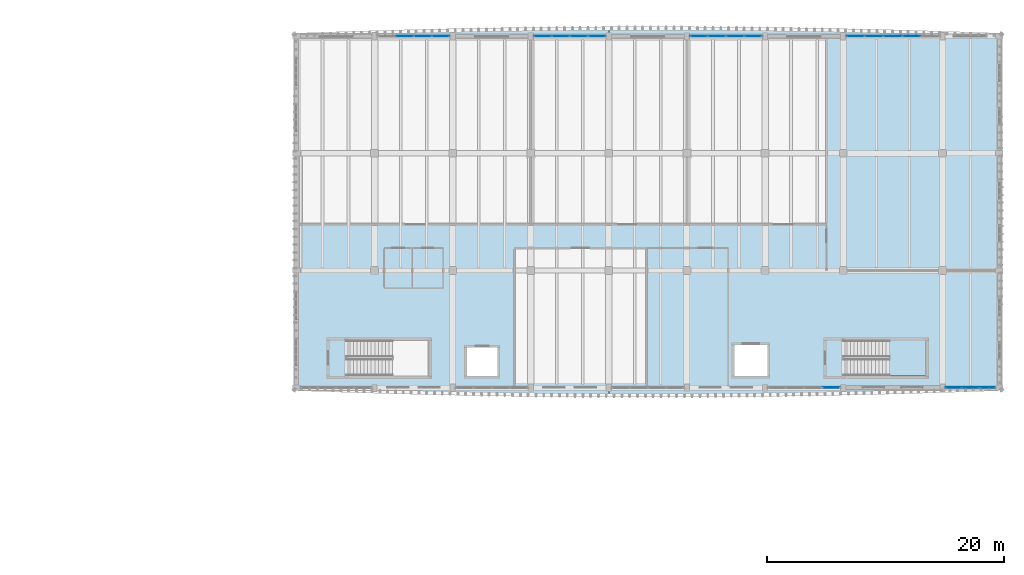
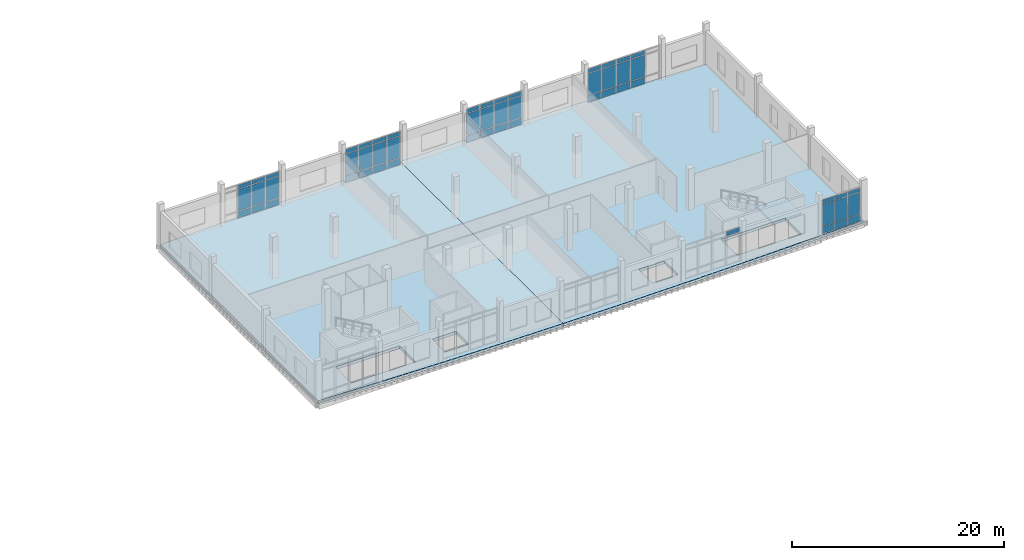
# One storey, part 40 of 76: 55 plates, 3 slabs, 7 elements without a shape of their own.
"""IFC4 building model written with IfcOpenShell, lengths in metres."""

from ifc_helpers import new_model, si_unit, direction, frame, origin, origin_2d, place, context, subcontext, project, spatial, polyline, rectangle, outline, extrude, material, layer, layer_set, type_object, element, aggregate, save


model = new_model("IFC4")

# Units and contexts
model_context = context("Model", 3, precision=1e-05, world=origin(), true_north=direction((0.0, 1.0)))
body_context = subcontext(model_context, "Body", "Model", "MODEL_VIEW")
ifc_project = project(units=[si_unit("LENGTHUNIT", "METRE"), si_unit("AREAUNIT", "SQUARE_METRE"), si_unit("VOLUMEUNIT", "CUBIC_METRE"), si_unit("PLANEANGLEUNIT", "RADIAN"), si_unit("MASSUNIT", "GRAM", prefix="KILO")], contexts=[model_context])

# Site, building, storey
site_placement = place(None, origin())
site = spatial("IfcSite", under=ifc_project, at=site_placement, CompositionType="ELEMENT")
building_placement = place(site_placement, origin())
building = spatial("IfcBuilding", under=site, at=building_placement, Name="Dornvale Research Institute", CompositionType="ELEMENT")
storey_placement = place(building_placement, frame((0.0, 0.0, 15.0)))
storey = spatial("IfcBuildingStorey", under=building, at=storey_placement, Name="L03", CompositionType="ELEMENT", Elevation=15.0)

# Curtain wall, plates
ifc_material_1 = material(Name="Low-E Argon Double Insulating Glazing Unit", Category="glass")
curtain_wall_type_1 = type_object("IfcCurtainWallType", Name="UnitisedCurtainWall_V4_6150x3950", PredefinedType="USERDEFINED", material=ifc_material_1)
curtain_wall_1_placement = place(storey_placement, origin())
curtain_wall_1 = element("IfcCurtainWall", 1, at=curtain_wall_1_placement, inside=storey, type_object=curtain_wall_type_1, Name="L03 V4 unitised curtain wall CW-15 #91", ObjectType="UNITISED CURTAIN WALL", PredefinedType="USERDEFINED")
ifc_material_2 = material(Name="Insulated Ceramic-Frit Spandrel Glass Panel", Category="glass")
ifc_layer_1 = layer(ifc_material_2, 0.0419921875)
ifc_layer_set_1 = layer_set([ifc_layer_1], Name="Insulated Ceramic-Frit Spandrel Glass Panel")
plate_type_1 = type_object("IfcPlateType", Name="CurtainPanel_Spandrel_42", PredefinedType="CURTAIN_PANEL", material=ifc_layer_set_1)
plate_1_placement = place(storey_placement, frame((127.93115234375, 122.10009765625, 0.06494140625), z_axis=(0.0, 0.0, 1.0), x_axis=(1.0, 0.0, 0.0)))
plate_1 = element("IfcPlate", 2, at=plate_1_placement, type_object=plate_type_1, Name="CW-15 panel 2.1", PredefinedType="CURTAIN_PANEL", context=body_context, shape_type="SweptSolid", body=[
    extrude(rectangle(XDim=1.472412109375, YDim=0.0419921875, at=origin_2d()), origin(), (0.0, 0.0, 1.0), 0.75244140625),
])
plate_2_placement = place(storey_placement, frame((129.46875, 122.10009765625, 0.06494140625), z_axis=(0.0, 0.0, 1.0), x_axis=(1.0, 0.0, 0.0)))
plate_2 = element("IfcPlate", 3, at=plate_2_placement, type_object=plate_type_1, Name="CW-15 panel 3.1", PredefinedType="CURTAIN_PANEL", context=body_context, shape_type="SweptSolid", body=[
    extrude(rectangle(XDim=1.472412109375, YDim=0.0419921875, at=origin_2d()), origin(), (0.0, 0.0, 1.0), 0.75244140625),
])
plate_3_placement = place(storey_placement, frame((130.989990234375, 122.10009765625, 0.06494140625), z_axis=(0.0, 0.0, 1.0), x_axis=(1.0, 0.0, 0.0)))
plate_3 = element("IfcPlate", 4, at=plate_3_placement, type_object=plate_type_1, Name="CW-15 panel 4.1", PredefinedType="CURTAIN_PANEL", context=body_context, shape_type="SweptSolid", body=[
    extrude(rectangle(XDim=1.43994140625, YDim=0.0419921875, at=origin_2d()), origin(), (0.0, 0.0, 1.0), 0.75244140625),
])

curtain_wall_2_placement = place(storey_placement, origin())
curtain_wall_2 = element("IfcCurtainWall", 5, at=curtain_wall_2_placement, inside=storey, type_object=curtain_wall_type_1, Name="L03 V4 unitised curtain wall CW-15 #92", ObjectType="UNITISED CURTAIN WALL", PredefinedType="USERDEFINED")
plate_4_placement = place(storey_placement, frame((139.610107421875, 122.10009765625, 0.06494140625), z_axis=(0.0, 0.0, 1.0), x_axis=(1.0, 0.0, 0.0)))
plate_4 = element("IfcPlate", 6, at=plate_4_placement, type_object=plate_type_1, Name="CW-15 panel 1.1", PredefinedType="CURTAIN_PANEL", context=body_context, shape_type="SweptSolid", body=[
    extrude(rectangle(XDim=1.43994140625, YDim=0.0419921875, at=origin_2d()), origin(), (0.0, 0.0, 1.0), 0.75244140625),
])
plate_5_placement = place(storey_placement, frame((141.13134765625, 122.10009765625, 0.06494140625), z_axis=(0.0, 0.0, 1.0), x_axis=(1.0, 0.0, 0.0)))
plate_5 = element("IfcPlate", 7, at=plate_5_placement, type_object=plate_type_1, Name="CW-15 panel 2.1", PredefinedType="CURTAIN_PANEL", context=body_context, shape_type="SweptSolid", body=[
    extrude(rectangle(XDim=1.472412109375, YDim=0.0419921875, at=origin_2d()), origin(), (0.0, 0.0, 1.0), 0.75244140625),
])
plate_6_placement = place(storey_placement, frame((142.668701171875, 122.10009765625, 0.06494140625), z_axis=(0.0, 0.0, 1.0), x_axis=(1.0, 0.0, 0.0)))
plate_6 = element("IfcPlate", 8, at=plate_6_placement, type_object=plate_type_1, Name="CW-15 panel 3.1", PredefinedType="CURTAIN_PANEL", context=body_context, shape_type="SweptSolid", body=[
    extrude(rectangle(XDim=1.472412109375, YDim=0.0419921875, at=origin_2d()), origin(), (0.0, 0.0, 1.0), 0.75244140625),
])
plate_7_placement = place(storey_placement, frame((144.18994140625, 122.10009765625, 0.06494140625), z_axis=(0.0, 0.0, 1.0), x_axis=(1.0, 0.0, 0.0)))
plate_7 = element("IfcPlate", 9, at=plate_7_placement, type_object=plate_type_1, Name="CW-15 panel 4.1", PredefinedType="CURTAIN_PANEL", context=body_context, shape_type="SweptSolid", body=[
    extrude(rectangle(XDim=1.43994140625, YDim=0.0419921875, at=origin_2d()), origin(), (0.0, 0.0, 1.0), 0.75244140625),
])

curtain_wall_3_placement = place(storey_placement, origin())
curtain_wall_3 = element("IfcCurtainWall", 10, at=curtain_wall_3_placement, inside=storey, type_object=curtain_wall_type_1, Name="L03 V4 unitised curtain wall CW-15 #93", ObjectType="UNITISED CURTAIN WALL", PredefinedType="USERDEFINED")
plate_8_placement = place(storey_placement, frame((152.81005859375, 122.10009765625, 0.06494140625), z_axis=(0.0, 0.0, 1.0), x_axis=(1.0, 0.0, 0.0)))
plate_8 = element("IfcPlate", 11, at=plate_8_placement, type_object=plate_type_1, Name="CW-15 panel 1.1", PredefinedType="CURTAIN_PANEL", context=body_context, shape_type="SweptSolid", body=[
    extrude(rectangle(XDim=1.43994140625, YDim=0.0419921875, at=origin_2d()), origin(), (0.0, 0.0, 1.0), 0.75244140625),
])
plate_9_placement = place(storey_placement, frame((154.331298828125, 122.10009765625, 0.06494140625), z_axis=(0.0, 0.0, 1.0), x_axis=(1.0, 0.0, 0.0)))
plate_9 = element("IfcPlate", 12, at=plate_9_placement, type_object=plate_type_1, Name="CW-15 panel 2.1", PredefinedType="CURTAIN_PANEL", context=body_context, shape_type="SweptSolid", body=[
    extrude(rectangle(XDim=1.472412109375, YDim=0.0419921875, at=origin_2d()), origin(), (0.0, 0.0, 1.0), 0.75244140625),
])
plate_10_placement = place(storey_placement, frame((155.86865234375, 122.10009765625, 0.06494140625), z_axis=(0.0, 0.0, 1.0), x_axis=(1.0, 0.0, 0.0)))
plate_10 = element("IfcPlate", 13, at=plate_10_placement, type_object=plate_type_1, Name="CW-15 panel 3.1", PredefinedType="CURTAIN_PANEL", context=body_context, shape_type="SweptSolid", body=[
    extrude(rectangle(XDim=1.472412109375, YDim=0.0419921875, at=origin_2d()), origin(), (0.0, 0.0, 1.0), 0.75244140625),
])
plate_11_placement = place(storey_placement, frame((157.389892578125, 122.10009765625, 0.06494140625), z_axis=(0.0, 0.0, 1.0), x_axis=(1.0, 0.0, 0.0)))
plate_11 = element("IfcPlate", 14, at=plate_11_placement, type_object=plate_type_1, Name="CW-15 panel 4.1", PredefinedType="CURTAIN_PANEL", context=body_context, shape_type="SweptSolid", body=[
    extrude(rectangle(XDim=1.43994140625, YDim=0.0419921875, at=origin_2d()), origin(), (0.0, 0.0, 1.0), 0.75244140625),
])

ifc_material_3 = material(Name="Low-E Argon Double Insulating Glazing Unit", Category="glass")
curtain_wall_type_2 = type_object("IfcCurtainWallType", Name="UnitisedCurtainWall_V4_7950x3950", PredefinedType="USERDEFINED", material=ifc_material_3)
curtain_wall_4_placement = place(storey_placement, origin())
curtain_wall_4 = element("IfcCurtainWall", 15, at=curtain_wall_4_placement, inside=storey, type_object=curtain_wall_type_2, Name="L03 V4 unitised curtain wall CW-16 #94", ObjectType="UNITISED CURTAIN WALL", PredefinedType="USERDEFINED")
plate_12_placement = place(storey_placement, frame((166.0361328125, 122.10009765625, 0.06494140625), z_axis=(0.0, 0.0, 1.0), x_axis=(1.0, 0.0, 0.0)))
plate_12 = element("IfcPlate", 16, at=plate_12_placement, type_object=plate_type_1, Name="CW-16 panel 1.1", PredefinedType="CURTAIN_PANEL", context=body_context, shape_type="SweptSolid", body=[
    extrude(rectangle(XDim=1.492431640625, YDim=0.0419921875, at=origin_2d()), origin(), (0.0, 0.0, 1.0), 0.75244140625),
])
plate_13_placement = place(storey_placement, frame((167.610107421875, 122.10009765625, 0.06494140625), z_axis=(0.0, 0.0, 1.0), x_axis=(1.0, 0.0, 0.0)))
plate_13 = element("IfcPlate", 17, at=plate_13_placement, type_object=plate_type_1, Name="CW-16 panel 2.1", PredefinedType="CURTAIN_PANEL", context=body_context, shape_type="SweptSolid", body=[
    extrude(rectangle(XDim=1.52490234375, YDim=0.0419921875, at=origin_2d()), origin(), (0.0, 0.0, 1.0), 0.75244140625),
])
plate_14_placement = place(storey_placement, frame((169.199951171875, 122.10009765625, 0.06494140625), z_axis=(0.0, 0.0, 1.0), x_axis=(1.0, 0.0, 0.0)))
plate_14 = element("IfcPlate", 18, at=plate_14_placement, type_object=plate_type_1, Name="CW-16 panel 3.1", PredefinedType="CURTAIN_PANEL", context=body_context, shape_type="SweptSolid", body=[
    extrude(rectangle(XDim=1.52490234375, YDim=0.0419921875, at=origin_2d()), origin(), (0.0, 0.0, 1.0), 0.75244140625),
])
plate_15_placement = place(storey_placement, frame((170.7900390625, 122.10009765625, 0.06494140625), z_axis=(0.0, 0.0, 1.0), x_axis=(1.0, 0.0, 0.0)))
plate_15 = element("IfcPlate", 19, at=plate_15_placement, type_object=plate_type_1, Name="CW-16 panel 4.1", PredefinedType="CURTAIN_PANEL", context=body_context, shape_type="SweptSolid", body=[
    extrude(rectangle(XDim=1.52490234375, YDim=0.0419921875, at=origin_2d()), origin(), (0.0, 0.0, 1.0), 0.75244140625),
])

ifc_material_4 = material(Name="Low-E Argon Double Insulating Glazing Unit", Category="glass")
curtain_wall_type_3 = type_object("IfcCurtainWallType", Name="UnitisedCurtainWall_V4_4250x3950", PredefinedType="USERDEFINED", material=ifc_material_4)
curtain_wall_5_placement = place(storey_placement, origin())
curtain_wall_5 = element("IfcCurtainWall", 20, at=curtain_wall_5_placement, inside=storey, type_object=curtain_wall_type_3, Name="L03 V4 unitised curtain wall CW-17 #95", ObjectType="UNITISED CURTAIN WALL", PredefinedType="USERDEFINED")
plate_16_placement = place(storey_placement, frame((177.150390625, 92.39990234375, 0.06494140625), z_axis=(0.0, 0.0, 1.0), x_axis=(-1.0, 0.0, 0.0)))
plate_16 = element("IfcPlate", 21, at=plate_16_placement, type_object=plate_type_1, Name="CW-17 panel 1.1", PredefinedType="CURTAIN_PANEL", context=body_context, shape_type="SweptSolid", body=[
    extrude(rectangle(XDim=1.319091796875, YDim=0.0419921875, at=origin_2d()), origin(), (0.0, 0.0, 1.0), 0.75244140625),
])
plate_17_placement = place(storey_placement, frame((175.75, 92.39990234375, 0.06494140625), z_axis=(0.0, 0.0, 1.0), x_axis=(-1.0, 0.0, 0.0)))
plate_17 = element("IfcPlate", 22, at=plate_17_placement, type_object=plate_type_1, Name="CW-17 panel 2.1", PredefinedType="CURTAIN_PANEL", context=body_context, shape_type="SweptSolid", body=[
    extrude(rectangle(XDim=1.3515625, YDim=0.0419921875, at=origin_2d()), origin(), (0.0, 0.0, 1.0), 0.75244140625),
])
plate_18_placement = place(storey_placement, frame((174.349609375, 92.39990234375, 0.06494140625), z_axis=(0.0, 0.0, 1.0), x_axis=(-1.0, 0.0, 0.0)))
plate_18 = element("IfcPlate", 23, at=plate_18_placement, type_object=plate_type_1, Name="CW-17 panel 3.1", PredefinedType="CURTAIN_PANEL", context=body_context, shape_type="SweptSolid", body=[
    extrude(rectangle(XDim=1.319091796875, YDim=0.0419921875, at=origin_2d()), origin(), (0.0, 0.0, 1.0), 0.75244140625),
])

# Plate
ifc_material_5 = material(Name="Low-E Argon Double Insulating Glazing Unit", Category="glass")
ifc_layer_2 = layer(ifc_material_5, 0.028076171875)
ifc_layer_set_2 = layer_set([ifc_layer_2], Name="Low-E Argon Double Insulating Glazing Unit")
plate_type_2 = type_object("IfcPlateType", Name="CurtainPanel_Vision_28", PredefinedType="CURTAIN_PANEL", material=ifc_layer_set_2)
plate_19_placement = place(storey_placement, frame((127.93115234375, 122.10009765625, 0.88232421875), z_axis=(0.0, 0.0, 1.0), x_axis=(1.0, 0.0, 0.0)))
plate_19 = element("IfcPlate", 24, at=plate_19_placement, type_object=plate_type_2, Name="CW-15 panel 2.2", PredefinedType="CURTAIN_PANEL", context=body_context, shape_type="SweptSolid", body=[
    extrude(rectangle(XDim=1.472412109375, YDim=0.028076171875, at=origin_2d()), origin(), (0.0, 0.0, 1.0), 2.485107421875),
])

plate_20_placement = place(storey_placement, frame((127.93115234375, 122.10009765625, 3.4326171875), z_axis=(0.0, 0.0, 1.0), x_axis=(1.0, 0.0, 0.0)))
plate_20 = element("IfcPlate", 25, at=plate_20_placement, type_object=plate_type_2, Name="CW-15 panel 2.3", PredefinedType="CURTAIN_PANEL", context=body_context, shape_type="SweptSolid", body=[
    extrude(rectangle(XDim=1.472412109375, YDim=0.028076171875, at=origin_2d()), origin(), (0.0, 0.0, 1.0), 0.452392578125),
])

plate_21_placement = place(storey_placement, frame((129.46875, 122.10009765625, 0.88232421875), z_axis=(0.0, 0.0, 1.0), x_axis=(1.0, 0.0, 0.0)))
plate_21 = element("IfcPlate", 26, at=plate_21_placement, type_object=plate_type_2, Name="CW-15 panel 3.2", PredefinedType="CURTAIN_PANEL", context=body_context, shape_type="SweptSolid", body=[
    extrude(rectangle(XDim=1.472412109375, YDim=0.028076171875, at=origin_2d()), origin(), (0.0, 0.0, 1.0), 2.485107421875),
])

plate_22_placement = place(storey_placement, frame((129.46875, 122.10009765625, 3.4326171875), z_axis=(0.0, 0.0, 1.0), x_axis=(1.0, 0.0, 0.0)))
plate_22 = element("IfcPlate", 27, at=plate_22_placement, type_object=plate_type_2, Name="CW-15 panel 3.3", PredefinedType="CURTAIN_PANEL", context=body_context, shape_type="SweptSolid", body=[
    extrude(rectangle(XDim=1.472412109375, YDim=0.028076171875, at=origin_2d()), origin(), (0.0, 0.0, 1.0), 0.452392578125),
])

plate_23_placement = place(storey_placement, frame((130.989990234375, 122.10009765625, 0.88232421875), z_axis=(0.0, 0.0, 1.0), x_axis=(1.0, 0.0, 0.0)))
plate_23 = element("IfcPlate", 28, at=plate_23_placement, type_object=plate_type_2, Name="CW-15 panel 4.2", PredefinedType="CURTAIN_PANEL", context=body_context, shape_type="SweptSolid", body=[
    extrude(rectangle(XDim=1.43994140625, YDim=0.028076171875, at=origin_2d()), origin(), (0.0, 0.0, 1.0), 2.485107421875),
])

plate_24_placement = place(storey_placement, frame((130.989990234375, 122.10009765625, 3.4326171875), z_axis=(0.0, 0.0, 1.0), x_axis=(1.0, 0.0, 0.0)))
plate_24 = element("IfcPlate", 29, at=plate_24_placement, type_object=plate_type_2, Name="CW-15 panel 4.3", PredefinedType="CURTAIN_PANEL", context=body_context, shape_type="SweptSolid", body=[
    extrude(rectangle(XDim=1.43994140625, YDim=0.028076171875, at=origin_2d()), origin(), (0.0, 0.0, 1.0), 0.452392578125),
])

aggregate(curtain_wall_1, [plate_1, plate_19, plate_20, plate_2, plate_21, plate_22, plate_3, plate_23, plate_24])

plate_25_placement = place(storey_placement, frame((139.610107421875, 122.10009765625, 0.88232421875), z_axis=(0.0, 0.0, 1.0), x_axis=(1.0, 0.0, 0.0)))
plate_25 = element("IfcPlate", 30, at=plate_25_placement, type_object=plate_type_2, Name="CW-15 panel 1.2", PredefinedType="CURTAIN_PANEL", context=body_context, shape_type="SweptSolid", body=[
    extrude(rectangle(XDim=1.43994140625, YDim=0.028076171875, at=origin_2d()), origin(), (0.0, 0.0, 1.0), 2.485107421875),
])

plate_26_placement = place(storey_placement, frame((139.610107421875, 122.10009765625, 3.4326171875), z_axis=(0.0, 0.0, 1.0), x_axis=(1.0, 0.0, 0.0)))
plate_26 = element("IfcPlate", 31, at=plate_26_placement, type_object=plate_type_2, Name="CW-15 panel 1.3", PredefinedType="CURTAIN_PANEL", context=body_context, shape_type="SweptSolid", body=[
    extrude(rectangle(XDim=1.43994140625, YDim=0.028076171875, at=origin_2d()), origin(), (0.0, 0.0, 1.0), 0.452392578125),
])

plate_27_placement = place(storey_placement, frame((141.13134765625, 122.10009765625, 0.88232421875), z_axis=(0.0, 0.0, 1.0), x_axis=(1.0, 0.0, 0.0)))
plate_27 = element("IfcPlate", 32, at=plate_27_placement, type_object=plate_type_2, Name="CW-15 panel 2.2", PredefinedType="CURTAIN_PANEL", context=body_context, shape_type="SweptSolid", body=[
    extrude(rectangle(XDim=1.472412109375, YDim=0.028076171875, at=origin_2d()), origin(), (0.0, 0.0, 1.0), 2.485107421875),
])

plate_28_placement = place(storey_placement, frame((141.13134765625, 122.10009765625, 3.4326171875), z_axis=(0.0, 0.0, 1.0), x_axis=(1.0, 0.0, 0.0)))
plate_28 = element("IfcPlate", 33, at=plate_28_placement, type_object=plate_type_2, Name="CW-15 panel 2.3", PredefinedType="CURTAIN_PANEL", context=body_context, shape_type="SweptSolid", body=[
    extrude(rectangle(XDim=1.472412109375, YDim=0.028076171875, at=origin_2d()), origin(), (0.0, 0.0, 1.0), 0.452392578125),
])

plate_29_placement = place(storey_placement, frame((142.668701171875, 122.10009765625, 0.88232421875), z_axis=(0.0, 0.0, 1.0), x_axis=(1.0, 0.0, 0.0)))
plate_29 = element("IfcPlate", 34, at=plate_29_placement, type_object=plate_type_2, Name="CW-15 panel 3.2", PredefinedType="CURTAIN_PANEL", context=body_context, shape_type="SweptSolid", body=[
    extrude(rectangle(XDim=1.472412109375, YDim=0.028076171875, at=origin_2d()), origin(), (0.0, 0.0, 1.0), 2.485107421875),
])

plate_30_placement = place(storey_placement, frame((142.668701171875, 122.10009765625, 3.4326171875), z_axis=(0.0, 0.0, 1.0), x_axis=(1.0, 0.0, 0.0)))
plate_30 = element("IfcPlate", 35, at=plate_30_placement, type_object=plate_type_2, Name="CW-15 panel 3.3", PredefinedType="CURTAIN_PANEL", context=body_context, shape_type="SweptSolid", body=[
    extrude(rectangle(XDim=1.472412109375, YDim=0.028076171875, at=origin_2d()), origin(), (0.0, 0.0, 1.0), 0.452392578125),
])

plate_31_placement = place(storey_placement, frame((144.18994140625, 122.10009765625, 0.88232421875), z_axis=(0.0, 0.0, 1.0), x_axis=(1.0, 0.0, 0.0)))
plate_31 = element("IfcPlate", 36, at=plate_31_placement, type_object=plate_type_2, Name="CW-15 panel 4.2", PredefinedType="CURTAIN_PANEL", context=body_context, shape_type="SweptSolid", body=[
    extrude(rectangle(XDim=1.43994140625, YDim=0.028076171875, at=origin_2d()), origin(), (0.0, 0.0, 1.0), 2.485107421875),
])

plate_32_placement = place(storey_placement, frame((144.18994140625, 122.10009765625, 3.4326171875), z_axis=(0.0, 0.0, 1.0), x_axis=(1.0, 0.0, 0.0)))
plate_32 = element("IfcPlate", 37, at=plate_32_placement, type_object=plate_type_2, Name="CW-15 panel 4.3", PredefinedType="CURTAIN_PANEL", context=body_context, shape_type="SweptSolid", body=[
    extrude(rectangle(XDim=1.43994140625, YDim=0.028076171875, at=origin_2d()), origin(), (0.0, 0.0, 1.0), 0.452392578125),
])

aggregate(curtain_wall_2, [plate_4, plate_25, plate_26, plate_5, plate_27, plate_28, plate_6, plate_29, plate_30, plate_7, plate_31, plate_32])

plate_33_placement = place(storey_placement, frame((152.81005859375, 122.10009765625, 0.88232421875), z_axis=(0.0, 0.0, 1.0), x_axis=(1.0, 0.0, 0.0)))
plate_33 = element("IfcPlate", 38, at=plate_33_placement, type_object=plate_type_2, Name="CW-15 panel 1.2", PredefinedType="CURTAIN_PANEL", context=body_context, shape_type="SweptSolid", body=[
    extrude(rectangle(XDim=1.43994140625, YDim=0.028076171875, at=origin_2d()), origin(), (0.0, 0.0, 1.0), 2.485107421875),
])

plate_34_placement = place(storey_placement, frame((152.81005859375, 122.10009765625, 3.4326171875), z_axis=(0.0, 0.0, 1.0), x_axis=(1.0, 0.0, 0.0)))
plate_34 = element("IfcPlate", 39, at=plate_34_placement, type_object=plate_type_2, Name="CW-15 panel 1.3", PredefinedType="CURTAIN_PANEL", context=body_context, shape_type="SweptSolid", body=[
    extrude(rectangle(XDim=1.43994140625, YDim=0.028076171875, at=origin_2d()), origin(), (0.0, 0.0, 1.0), 0.452392578125),
])

plate_35_placement = place(storey_placement, frame((154.331298828125, 122.10009765625, 0.88232421875), z_axis=(0.0, 0.0, 1.0), x_axis=(1.0, 0.0, 0.0)))
plate_35 = element("IfcPlate", 40, at=plate_35_placement, type_object=plate_type_2, Name="CW-15 panel 2.2", PredefinedType="CURTAIN_PANEL", context=body_context, shape_type="SweptSolid", body=[
    extrude(rectangle(XDim=1.472412109375, YDim=0.028076171875, at=origin_2d()), origin(), (0.0, 0.0, 1.0), 2.485107421875),
])

plate_36_placement = place(storey_placement, frame((154.331298828125, 122.10009765625, 3.4326171875), z_axis=(0.0, 0.0, 1.0), x_axis=(1.0, 0.0, 0.0)))
plate_36 = element("IfcPlate", 41, at=plate_36_placement, type_object=plate_type_2, Name="CW-15 panel 2.3", PredefinedType="CURTAIN_PANEL", context=body_context, shape_type="SweptSolid", body=[
    extrude(rectangle(XDim=1.472412109375, YDim=0.028076171875, at=origin_2d()), origin(), (0.0, 0.0, 1.0), 0.452392578125),
])

plate_37_placement = place(storey_placement, frame((155.86865234375, 122.10009765625, 0.88232421875), z_axis=(0.0, 0.0, 1.0), x_axis=(1.0, 0.0, 0.0)))
plate_37 = element("IfcPlate", 42, at=plate_37_placement, type_object=plate_type_2, Name="CW-15 panel 3.2", PredefinedType="CURTAIN_PANEL", context=body_context, shape_type="SweptSolid", body=[
    extrude(rectangle(XDim=1.472412109375, YDim=0.028076171875, at=origin_2d()), origin(), (0.0, 0.0, 1.0), 2.485107421875),
])

plate_38_placement = place(storey_placement, frame((155.86865234375, 122.10009765625, 3.4326171875), z_axis=(0.0, 0.0, 1.0), x_axis=(1.0, 0.0, 0.0)))
plate_38 = element("IfcPlate", 43, at=plate_38_placement, type_object=plate_type_2, Name="CW-15 panel 3.3", PredefinedType="CURTAIN_PANEL", context=body_context, shape_type="SweptSolid", body=[
    extrude(rectangle(XDim=1.472412109375, YDim=0.028076171875, at=origin_2d()), origin(), (0.0, 0.0, 1.0), 0.452392578125),
])

plate_39_placement = place(storey_placement, frame((157.389892578125, 122.10009765625, 0.88232421875), z_axis=(0.0, 0.0, 1.0), x_axis=(1.0, 0.0, 0.0)))
plate_39 = element("IfcPlate", 44, at=plate_39_placement, type_object=plate_type_2, Name="CW-15 panel 4.2", PredefinedType="CURTAIN_PANEL", context=body_context, shape_type="SweptSolid", body=[
    extrude(rectangle(XDim=1.43994140625, YDim=0.028076171875, at=origin_2d()), origin(), (0.0, 0.0, 1.0), 2.485107421875),
])

plate_40_placement = place(storey_placement, frame((157.389892578125, 122.10009765625, 3.4326171875), z_axis=(0.0, 0.0, 1.0), x_axis=(1.0, 0.0, 0.0)))
plate_40 = element("IfcPlate", 45, at=plate_40_placement, type_object=plate_type_2, Name="CW-15 panel 4.3", PredefinedType="CURTAIN_PANEL", context=body_context, shape_type="SweptSolid", body=[
    extrude(rectangle(XDim=1.43994140625, YDim=0.028076171875, at=origin_2d()), origin(), (0.0, 0.0, 1.0), 0.452392578125),
])

aggregate(curtain_wall_3, [plate_8, plate_33, plate_34, plate_9, plate_35, plate_36, plate_10, plate_37, plate_38, plate_11, plate_39, plate_40])

plate_41_placement = place(storey_placement, frame((166.0361328125, 122.10009765625, 0.88232421875), z_axis=(0.0, 0.0, 1.0), x_axis=(1.0, 0.0, 0.0)))
plate_41 = element("IfcPlate", 46, at=plate_41_placement, type_object=plate_type_2, Name="CW-16 panel 1.2", PredefinedType="CURTAIN_PANEL", context=body_context, shape_type="SweptSolid", body=[
    extrude(rectangle(XDim=1.492431640625, YDim=0.028076171875, at=origin_2d()), origin(), (0.0, 0.0, 1.0), 2.485107421875),
])

plate_42_placement = place(storey_placement, frame((166.0361328125, 122.10009765625, 3.4326171875), z_axis=(0.0, 0.0, 1.0), x_axis=(1.0, 0.0, 0.0)))
plate_42 = element("IfcPlate", 47, at=plate_42_placement, type_object=plate_type_2, Name="CW-16 panel 1.3", PredefinedType="CURTAIN_PANEL", context=body_context, shape_type="SweptSolid", body=[
    extrude(rectangle(XDim=1.492431640625, YDim=0.028076171875, at=origin_2d()), origin(), (0.0, 0.0, 1.0), 0.452392578125),
])

plate_43_placement = place(storey_placement, frame((167.610107421875, 122.10009765625, 0.88232421875), z_axis=(0.0, 0.0, 1.0), x_axis=(1.0, 0.0, 0.0)))
plate_43 = element("IfcPlate", 48, at=plate_43_placement, type_object=plate_type_2, Name="CW-16 panel 2.2", PredefinedType="CURTAIN_PANEL", context=body_context, shape_type="SweptSolid", body=[
    extrude(rectangle(XDim=1.52490234375, YDim=0.028076171875, at=origin_2d()), origin(), (0.0, 0.0, 1.0), 2.485107421875),
])

plate_44_placement = place(storey_placement, frame((167.610107421875, 122.10009765625, 3.4326171875), z_axis=(0.0, 0.0, 1.0), x_axis=(1.0, 0.0, 0.0)))
plate_44 = element("IfcPlate", 49, at=plate_44_placement, type_object=plate_type_2, Name="CW-16 panel 2.3", PredefinedType="CURTAIN_PANEL", context=body_context, shape_type="SweptSolid", body=[
    extrude(rectangle(XDim=1.52490234375, YDim=0.028076171875, at=origin_2d()), origin(), (0.0, 0.0, 1.0), 0.452392578125),
])

plate_45_placement = place(storey_placement, frame((169.199951171875, 122.10009765625, 0.88232421875), z_axis=(0.0, 0.0, 1.0), x_axis=(1.0, 0.0, 0.0)))
plate_45 = element("IfcPlate", 50, at=plate_45_placement, type_object=plate_type_2, Name="CW-16 panel 3.2", PredefinedType="CURTAIN_PANEL", context=body_context, shape_type="SweptSolid", body=[
    extrude(rectangle(XDim=1.52490234375, YDim=0.028076171875, at=origin_2d()), origin(), (0.0, 0.0, 1.0), 2.485107421875),
])

plate_46_placement = place(storey_placement, frame((169.199951171875, 122.10009765625, 3.4326171875), z_axis=(0.0, 0.0, 1.0), x_axis=(1.0, 0.0, 0.0)))
plate_46 = element("IfcPlate", 51, at=plate_46_placement, type_object=plate_type_2, Name="CW-16 panel 3.3", PredefinedType="CURTAIN_PANEL", context=body_context, shape_type="SweptSolid", body=[
    extrude(rectangle(XDim=1.52490234375, YDim=0.028076171875, at=origin_2d()), origin(), (0.0, 0.0, 1.0), 0.452392578125),
])

plate_47_placement = place(storey_placement, frame((170.7900390625, 122.10009765625, 0.88232421875), z_axis=(0.0, 0.0, 1.0), x_axis=(1.0, 0.0, 0.0)))
plate_47 = element("IfcPlate", 52, at=plate_47_placement, type_object=plate_type_2, Name="CW-16 panel 4.2", PredefinedType="CURTAIN_PANEL", context=body_context, shape_type="SweptSolid", body=[
    extrude(rectangle(XDim=1.52490234375, YDim=0.028076171875, at=origin_2d()), origin(), (0.0, 0.0, 1.0), 2.485107421875),
])

plate_48_placement = place(storey_placement, frame((170.7900390625, 122.10009765625, 3.4326171875), z_axis=(0.0, 0.0, 1.0), x_axis=(1.0, 0.0, 0.0)))
plate_48 = element("IfcPlate", 53, at=plate_48_placement, type_object=plate_type_2, Name="CW-16 panel 4.3", PredefinedType="CURTAIN_PANEL", context=body_context, shape_type="SweptSolid", body=[
    extrude(rectangle(XDim=1.52490234375, YDim=0.028076171875, at=origin_2d()), origin(), (0.0, 0.0, 1.0), 0.452392578125),
])

aggregate(curtain_wall_4, [plate_12, plate_41, plate_42, plate_13, plate_43, plate_44, plate_14, plate_45, plate_46, plate_15, plate_47, plate_48])

plate_49_placement = place(storey_placement, frame((177.150390625, 92.39990234375, 0.88232421875), z_axis=(0.0, 0.0, 1.0), x_axis=(-1.0, 0.0, 0.0)))
plate_49 = element("IfcPlate", 54, at=plate_49_placement, type_object=plate_type_2, Name="CW-17 panel 1.2", PredefinedType="CURTAIN_PANEL", context=body_context, shape_type="SweptSolid", body=[
    extrude(rectangle(XDim=1.319091796875, YDim=0.028076171875, at=origin_2d()), origin(), (0.0, 0.0, 1.0), 2.485107421875),
])

plate_50_placement = place(storey_placement, frame((177.150390625, 92.39990234375, 3.4326171875), z_axis=(0.0, 0.0, 1.0), x_axis=(-1.0, 0.0, 0.0)))
plate_50 = element("IfcPlate", 55, at=plate_50_placement, type_object=plate_type_2, Name="CW-17 panel 1.3", PredefinedType="CURTAIN_PANEL", context=body_context, shape_type="SweptSolid", body=[
    extrude(rectangle(XDim=1.319091796875, YDim=0.028076171875, at=origin_2d()), origin(), (0.0, 0.0, 1.0), 0.452392578125),
])

plate_51_placement = place(storey_placement, frame((175.75, 92.39990234375, 0.88232421875), z_axis=(0.0, 0.0, 1.0), x_axis=(-1.0, 0.0, 0.0)))
plate_51 = element("IfcPlate", 56, at=plate_51_placement, type_object=plate_type_2, Name="CW-17 panel 2.2", PredefinedType="CURTAIN_PANEL", context=body_context, shape_type="SweptSolid", body=[
    extrude(rectangle(XDim=1.3515625, YDim=0.028076171875, at=origin_2d()), origin(), (0.0, 0.0, 1.0), 2.485107421875),
])

plate_52_placement = place(storey_placement, frame((175.75, 92.39990234375, 3.4326171875), z_axis=(0.0, 0.0, 1.0), x_axis=(-1.0, 0.0, 0.0)))
plate_52 = element("IfcPlate", 57, at=plate_52_placement, type_object=plate_type_2, Name="CW-17 panel 2.3", PredefinedType="CURTAIN_PANEL", context=body_context, shape_type="SweptSolid", body=[
    extrude(rectangle(XDim=1.3515625, YDim=0.028076171875, at=origin_2d()), origin(), (0.0, 0.0, 1.0), 0.452392578125),
])

plate_53_placement = place(storey_placement, frame((174.349609375, 92.39990234375, 0.88232421875), z_axis=(0.0, 0.0, 1.0), x_axis=(-1.0, 0.0, 0.0)))
plate_53 = element("IfcPlate", 58, at=plate_53_placement, type_object=plate_type_2, Name="CW-17 panel 3.2", PredefinedType="CURTAIN_PANEL", context=body_context, shape_type="SweptSolid", body=[
    extrude(rectangle(XDim=1.319091796875, YDim=0.028076171875, at=origin_2d()), origin(), (0.0, 0.0, 1.0), 2.485107421875),
])

plate_54_placement = place(storey_placement, frame((174.349609375, 92.39990234375, 3.4326171875), z_axis=(0.0, 0.0, 1.0), x_axis=(-1.0, 0.0, 0.0)))
plate_54 = element("IfcPlate", 59, at=plate_54_placement, type_object=plate_type_2, Name="CW-17 panel 3.3", PredefinedType="CURTAIN_PANEL", context=body_context, shape_type="SweptSolid", body=[
    extrude(rectangle(XDim=1.319091796875, YDim=0.028076171875, at=origin_2d()), origin(), (0.0, 0.0, 1.0), 0.452392578125),
])

aggregate(curtain_wall_5, [plate_16, plate_49, plate_50, plate_17, plate_51, plate_52, plate_18, plate_53, plate_54])

# Curtain wall, plate
curtain_wall_6_placement = place(storey_placement, origin())
curtain_wall_6 = element("IfcCurtainWall", 60, at=curtain_wall_6_placement, inside=storey, type_object=curtain_wall_type_1, Name="L03 V4 unitised curtain wall CW-15 #96", ObjectType="UNITISED CURTAIN WALL", PredefinedType="USERDEFINED")
plate_55_placement = place(storey_placement, frame((163.989990234375, 92.39990234375, 3.4326171875), z_axis=(0.0, 0.0, 1.0), x_axis=(-1.0, 0.0, 0.0)))
plate_55 = element("IfcPlate", 61, at=plate_55_placement, type_object=plate_type_2, Name="CW-15 panel 1.3", PredefinedType="CURTAIN_PANEL", context=body_context, shape_type="SweptSolid", body=[
    extrude(rectangle(XDim=1.43994140625, YDim=0.028076171875, at=origin_2d()), origin(), (0.0, 0.0, 1.0), 0.452392578125),
])
aggregate(curtain_wall_6, [plate_55])

# Slabs
ifc_material_6 = material(Name="Concrete f'c 45 MPa (C35/45)", Category="concrete")
ifc_layer_3 = layer(ifc_material_6, 0.340087890625)
ifc_layer_set_3 = layer_set([ifc_layer_3], Name="Concrete f'c 45 MPa (C35/45)")
slab_type_1 = type_object("IfcSlabType", Name="FloorSlab_WetLab_340", PredefinedType="FLOOR", material=ifc_layer_set_3)
slab_1_placement = place(storey_placement, frame((0.0, 0.0, -0.340087890625)))
element("IfcSlab", 62, at=slab_1_placement, inside=storey, type_object=slab_type_1, Name="L03 V4 W floor slab", PredefinedType="FLOOR", context=body_context, shape_type="SweptSolid", body=[
    extrude(outline(polyline([(143.550048828125, 91.865234375), (141.89990234375, 91.877197265625), (140.25, 91.892333984375), (138.60009765625, 91.9111328125), (136.949951171875, 91.93310546875), (135.300048828125, 91.95849609375), (133.64990234375, 91.987548828125), (132.0, 92.019775390625), (130.35009765625, 92.055419921875), (128.699951171875, 92.094482421875), (127.050048828125, 92.136962890625), (125.39990234375, 92.1826171875), (123.75, 92.23193359375), (122.10009765625, 92.28466796875), (120.449951171875, 92.340576171875), (118.800048828125, 92.39990234375), (118.800048828125, 122.10009765625), (120.449951171875, 122.159423828125), (122.10009765625, 122.21533203125), (123.75, 122.26806640625), (125.39990234375, 122.3173828125), (127.050048828125, 122.363037109375), (128.699951171875, 122.405517578125), (130.35009765625, 122.444580078125), (132.0, 122.480224609375), (133.64990234375, 122.512451171875), (135.300048828125, 122.54150390625), (136.949951171875, 122.56689453125), (138.60009765625, 122.5888671875), (140.25, 122.607666015625), (141.89990234375, 122.622802734375), (143.550048828125, 122.634765625), (145.199951171875, 122.643310546875), (145.199951171875, 91.856689453125), (143.550048828125, 91.865234375)]), holes=[polyline([(123.02001953125, 93.39990234375), (130.0, 93.39990234375), (130.0, 96.39990234375), (123.02001953125, 96.39990234375), (123.02001953125, 93.39990234375)]), polyline([(133.199951171875, 93.39990234375), (135.800048828125, 93.39990234375), (135.800048828125, 95.800048828125), (133.199951171875, 95.800048828125), (133.199951171875, 93.39990234375)])]), origin(), (0.0, 0.0, 1.0), 0.340087890625),
])
slab_2_placement = place(storey_placement, frame((0.0, 0.0, -0.340087890625)))
element("IfcSlab", 63, at=slab_2_placement, inside=storey, type_object=slab_type_1, Name="L03 V4 E floor slab", PredefinedType="FLOOR", context=body_context, shape_type="SweptSolid", body=[
    extrude(outline(polyline([(146.85009765625, 122.648193359375), (148.5, 122.64990234375), (150.14990234375, 122.648193359375), (151.800048828125, 122.643310546875), (153.449951171875, 122.634765625), (155.10009765625, 122.622802734375), (156.75, 122.607666015625), (158.39990234375, 122.5888671875), (160.050048828125, 122.56689453125), (161.699951171875, 122.54150390625), (163.35009765625, 122.512451171875), (165.0, 122.480224609375), (166.64990234375, 122.444580078125), (168.300048828125, 122.405517578125), (169.949951171875, 122.363037109375), (171.60009765625, 122.3173828125), (173.25, 122.26806640625), (174.89990234375, 122.21533203125), (176.550048828125, 122.159423828125), (178.199951171875, 122.10009765625), (178.199951171875, 92.39990234375), (176.550048828125, 92.340576171875), (174.89990234375, 92.28466796875), (173.25, 92.23193359375), (171.60009765625, 92.1826171875), (169.949951171875, 92.136962890625), (168.300048828125, 92.094482421875), (166.64990234375, 92.055419921875), (165.0, 92.019775390625), (163.35009765625, 91.987548828125), (161.699951171875, 91.95849609375), (160.050048828125, 91.93310546875), (158.39990234375, 91.9111328125), (156.75, 91.892333984375), (155.10009765625, 91.877197265625), (153.449951171875, 91.865234375), (151.800048828125, 91.856689453125), (150.14990234375, 91.851806640625), (148.5, 91.85009765625), (146.85009765625, 91.851806640625), (145.199951171875, 91.856689453125), (145.199951171875, 122.643310546875), (146.85009765625, 122.648193359375)]), holes=[polyline([(165.02001953125, 93.39990234375), (172.0, 93.39990234375), (172.0, 96.39990234375), (165.02001953125, 96.39990234375), (165.02001953125, 93.39990234375)]), polyline([(155.800048828125, 93.39990234375), (158.60009765625, 93.39990234375), (158.60009765625, 96.0), (155.800048828125, 96.0), (155.800048828125, 93.39990234375)])]), origin(), (0.0, 0.0, 1.0), 0.340087890625),
])

# Stair, slab
ifc_material_7 = material(Name="Concrete f'c 45 MPa (C35/45)", Category="concrete")
stair_type = type_object("IfcStairType", Name="HalfTurnStair_RC", PredefinedType="HALF_TURN_STAIR", material=ifc_material_7)
stair_placement = place(storey_placement, origin())
stair = element("IfcStair", 64, at=stair_placement, inside=storey, type_object=stair_type, Name="L03 Exit stair ST-4", PredefinedType="HALF_TURN_STAIR")
ifc_material_8 = material(Name="Concrete f'c 45 MPa (C35/45)", Category="concrete")
ifc_layer_4 = layer(ifc_material_8, 0.199951171875)
ifc_layer_set_4 = layer_set([ifc_layer_4], Name="Concrete f'c 45 MPa (C35/45)")
slab_type_2 = type_object("IfcSlabType", Name="Landing_Stair_200", PredefinedType="LANDING", material=ifc_layer_set_4)
slab_3_placement = place(storey_placement, frame((0.0, 0.0, 2.199951171875)))
slab_3 = element("IfcSlab", 65, at=slab_3_placement, type_object=slab_type_2, Name="ST-4 landing 1", PredefinedType="LANDING", context=body_context, shape_type="SweptSolid", body=[
    extrude(outline(polyline([(168.889892578125, 93.3701171875), (168.889892578125, 96.429931640625), (172.030029296875, 96.429931640625), (172.030029296875, 93.3701171875), (168.889892578125, 93.3701171875)])), origin(), (0.0, 0.0, 1.0), 0.199951171875),
])
aggregate(stair, [slab_3])

save(model, "model.ifc")
